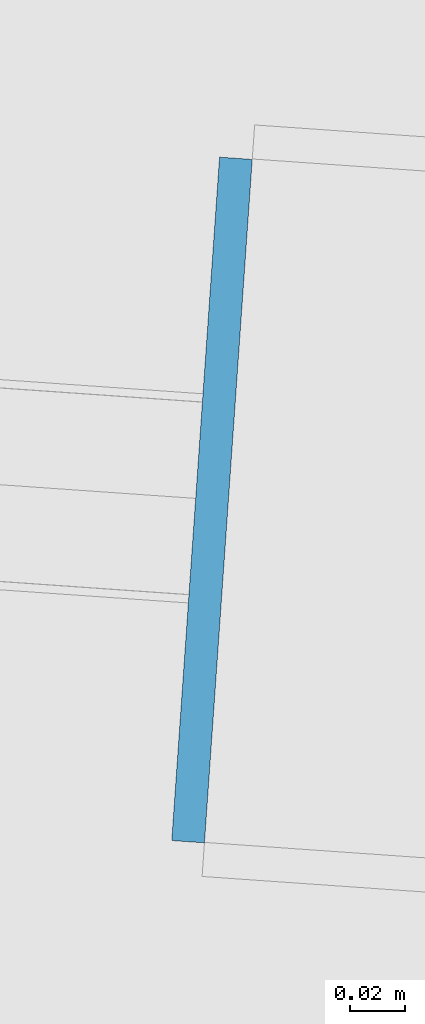
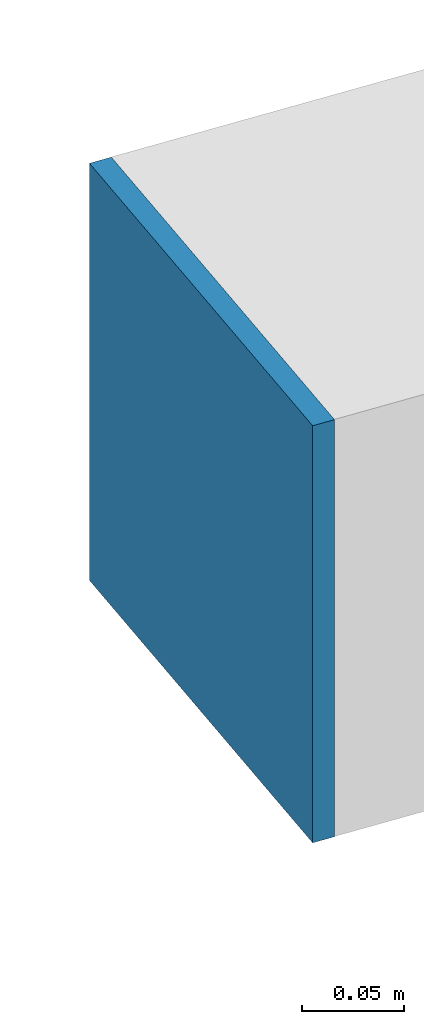
# One storey, part 29 of 39: 1 plate.
"""IFC4 building model written with IfcOpenShell, lengths in metres."""

from ifc_helpers import new_model, si_unit, direction, frame, origin, origin_2d, place, context, subcontext, project, spatial, rectangle, extrude, source, transform, mapped, material, layer, layer_set, type_object, element, save


model = new_model("IFC4")

# Units and contexts
model_context = context("Model", 3, precision=1e-05, world=origin(), true_north=direction((0.0, 1.0)))
body_context = subcontext(model_context, "Body", "Model", "MODEL_VIEW")
ifc_project = project(units=[si_unit("LENGTHUNIT", "METRE"), si_unit("AREAUNIT", "SQUARE_METRE"), si_unit("VOLUMEUNIT", "CUBIC_METRE"), si_unit("PLANEANGLEUNIT", "RADIAN"), si_unit("MASSUNIT", "GRAM", prefix="KILO")], contexts=[model_context])

# Site, building, storey
site_placement = place(None, origin())
site = spatial("IfcSite", under=ifc_project, at=site_placement, CompositionType="ELEMENT")
building_placement = place(site_placement, origin())
building = spatial("IfcBuilding", under=site, at=building_placement, Name="Taldren Reach Tower", CompositionType="ELEMENT")
storey_placement = place(building_placement, frame((0.0, 0.0, 126.699951171875)))
storey = spatial("IfcBuildingStorey", under=building, at=storey_placement, Name="L38", CompositionType="ELEMENT", Elevation=126.699951171875)

# Plate
ifc_material = material(Name="Steel Gr 350 (C350L0)", Category="steel")
ifc_layer = layer(ifc_material, 0.011962890625)
ifc_layer_set = layer_set([ifc_layer], Name="Steel Gr 350 (C350L0)")
plate_type = type_object("IfcPlateType", Name="PL-CAP-250", PredefinedType="SHEET", material=ifc_layer_set)
shared_shape = source(origin(), body_context, "Body", "SweptSolid", [
    extrude(rectangle(XDim=0.011962890625, YDim=0.25, at=origin_2d()), origin(), (0.0, 0.0, 1.0), 0.25),
])
plate_placement = place(storey_placement, frame((8.3095703125, 21.976806640625, 0.094970703125), z_axis=(0.0, 0.0, 1.0), x_axis=(0.99756405026, -0.069756473744, 0.0)))
element("IfcPlate", 1, at=plate_placement, inside=storey, type_object=plate_type, Name="Tie strut end cap plate B3-W2 L38", PredefinedType="SHEET", context=body_context, shape_type="MappedRepresentation", body=[
    mapped(shared_shape, transform((0.0, 0.0, 0.0), scale=1.0)),
])

save(model, "model.ifc")
